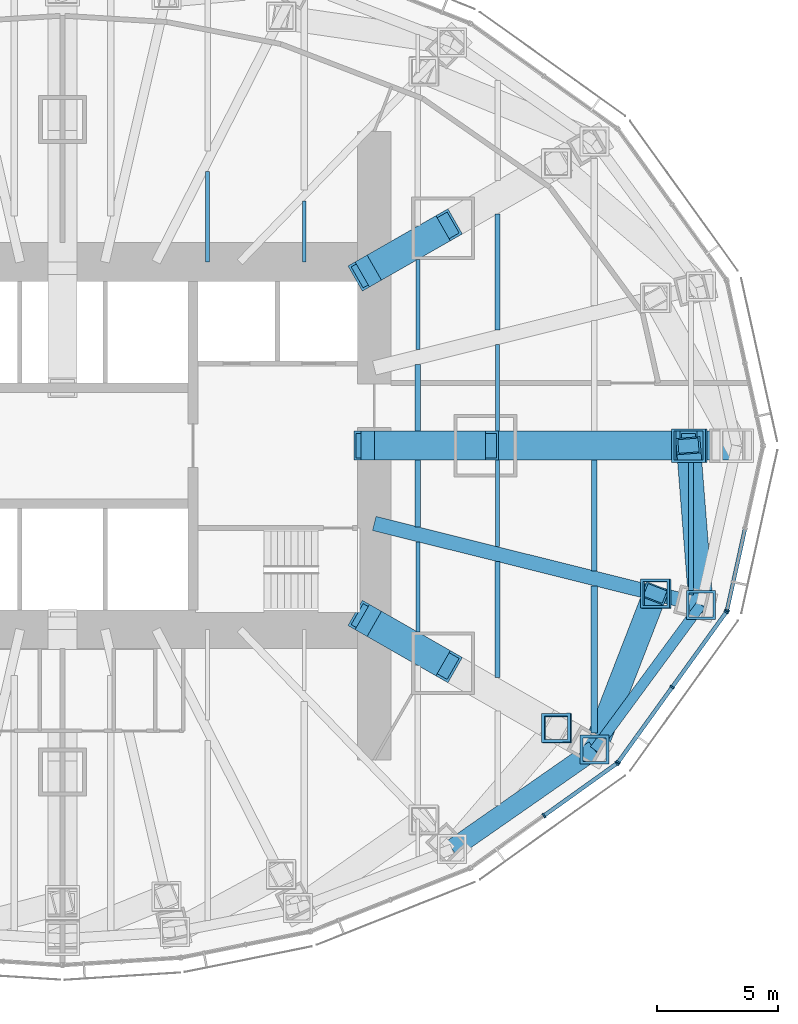
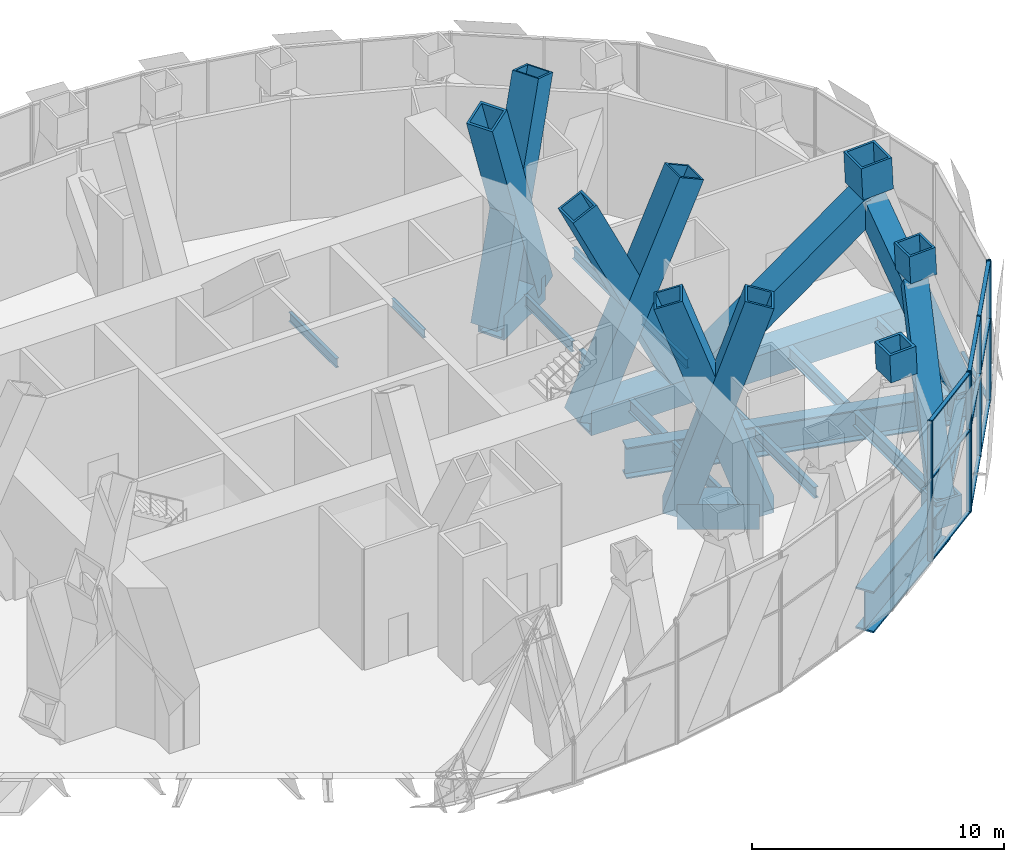
# One storey, part 6 of 19: 30 members, 20 beams, 3 elements without a shape of their own.
"""IFC4 building model written with IfcOpenShell, lengths in metres."""

from ifc_helpers import new_model, si_unit, direction, frame, origin, origin_2d, place, context, subcontext, project, spatial, rectangle, hollow_rectangle, i_section, extrude, material, material_profile, profile_set, type_object, element, aggregate, save


model = new_model("IFC4")

# Units and contexts
model_context = context("Model", 3, precision=1e-05, world=origin(), true_north=direction((0.0, 1.0)))
body_context = subcontext(model_context, "Body", "Model", "MODEL_VIEW")
ifc_project = project(units=[si_unit("LENGTHUNIT", "METRE"), si_unit("AREAUNIT", "SQUARE_METRE"), si_unit("VOLUMEUNIT", "CUBIC_METRE"), si_unit("PLANEANGLEUNIT", "RADIAN"), si_unit("MASSUNIT", "GRAM", prefix="KILO")], contexts=[model_context])

# Site, building, storey
site_placement = place(None, origin())
site = spatial("IfcSite", under=ifc_project, at=site_placement, CompositionType="ELEMENT")
building_placement = place(site_placement, origin())
building = spatial("IfcBuilding", under=site, at=building_placement, Name="Lantaw Convention Tower", CompositionType="ELEMENT")
storey_placement = place(building_placement, frame((0.0, 0.0, 193.0)))
storey = spatial("IfcBuildingStorey", under=building, at=storey_placement, Name="L45", CompositionType="ELEMENT", Elevation=193.0)

# Beams
ifc_material_1 = material(Name="Steel ASTM A572 Grade 50", Category="steel")
ifc_material_profile_1 = material_profile(ifc_material_1, i_section(OverallWidth=0.800048828125, OverallDepth=2.0, WebThickness=0.030029296875, FlangeThickness=0.080078125, at=origin_2d()), Name="PG2000X800X30X80")
ifc_profile_set_1 = profile_set([ifc_material_profile_1], Name="Steel ASTM A572 Grade 50")
beam_type_1 = type_object("IfcBeamType", Name="Beam BC PG2000X800X30X80", PredefinedType="SPANDREL", material=ifc_profile_set_1)
beam_1_placement = place(storey_placement, frame((16.11767578125, -16.690185546875, -1.199951171875), z_axis=(0.820310765287, 0.57191804339, 0.0), x_axis=(-0.57191804339, 0.820310765287, 0.0)))
element("IfcBeam", 1, at=beam_1_placement, inside=storey, type_object=beam_type_1, Name="Belt truss chord 22", PredefinedType="SPANDREL", context=body_context, shape_type="SweptSolid", body=[
    extrude(i_section(OverallWidth=0.800048828125, OverallDepth=2.0, WebThickness=0.030029296875, FlangeThickness=0.080078125, at=origin_2d()), origin(), (0.0, 0.0, 1.0), 7.187744140625),
])
ifc_material_2 = material(Name="Steel ASTM A992", Category="steel")
ifc_material_profile_2 = material_profile(ifc_material_2, i_section(OverallWidth=0.424072265625, OverallDepth=0.947509765625, WebThickness=0.02392578125, FlangeThickness=0.042724609375, FilletRadius=0.012451171875, at=origin_2d()), Name="W36X302")
ifc_profile_set_2 = profile_set([ifc_material_profile_2], Name="Steel ASTM A992")
beam_type_2 = type_object("IfcBeamType", Name="Beam BC W36X302", PredefinedType="SPANDREL", material=ifc_profile_set_2)
beam_2_placement = place(storey_placement, frame((22.013916015625, -12.579345703125, -0.673828125), z_axis=(0.5923891972, 0.805651934176, 0.0), x_axis=(-0.805651934176, 0.5923891972, 0.0)))
element("IfcBeam", 2, at=beam_2_placement, inside=storey, type_object=beam_type_2, Name="Belt truss chord 23", PredefinedType="SPANDREL", context=body_context, shape_type="SweptSolid", body=[
    extrude(i_section(OverallWidth=0.424072265625, OverallDepth=0.947509765625, WebThickness=0.02392578125, FlangeThickness=0.042724609375, FilletRadius=0.012451171875, at=origin_2d()), origin(), (0.0, 0.0, 1.0), 7.437744140625),
])
ifc_material_3 = material(Name="Steel EN 10025-3 S460N", Category="steel")
ifc_material_profile_3 = material_profile(ifc_material_3, hollow_rectangle(XDim=1.199951171875, YDim=1.199951171875, WallThickness=0.10009765625, at=origin_2d()), Name="BOX1200X100")
ifc_profile_set_3 = profile_set([ifc_material_profile_3], Name="Steel EN 10025-3 S460N")
beam_type_3 = type_object("IfcBeamType", Name="Beam G BOX1200X100", PredefinedType="BEAM", material=ifc_profile_set_3)
beam_3_placement = place(storey_placement, frame((17.5, 0.0, -0.800048828125), z_axis=(1.0, 0.0, 0.0), x_axis=(0.0, 1.0, 0.0)))
element("IfcBeam", 3, at=beam_3_placement, inside=storey, type_object=beam_type_3, Name="Floor girder on ray 1", PredefinedType="BEAM", context=body_context, shape_type="SweptSolid", body=[
    extrude(hollow_rectangle(XDim=1.199951171875, YDim=1.199951171875, WallThickness=0.10009765625, at=origin_2d()), origin(), (0.0, 0.0, 1.0), 10.39990234375),
])
ifc_material_profile_4 = material_profile(ifc_material_1, i_section(OverallWidth=0.60009765625, OverallDepth=1.5, WebThickness=0.02490234375, FlangeThickness=0.06005859375, at=origin_2d()), Name="PG1500X600X25X60")
ifc_profile_set_4 = profile_set([ifc_material_profile_4], Name="Steel ASTM A572 Grade 50")
beam_type_4 = type_object("IfcBeamType", Name="Beam G PG1500X600X25X60", PredefinedType="BEAM", material=ifc_profile_set_4)
beam_4_placement = place(storey_placement, frame((12.89990234375, -3.21630859375, -0.949951171875), z_axis=(0.970296903132, -0.24191717544, 0.0), x_axis=(0.24191717544, 0.970296903132, 0.0)))
element("IfcBeam", 4, at=beam_4_placement, inside=storey, type_object=beam_type_4, Name="Floor girder on ray 24", PredefinedType="BEAM", context=body_context, shape_type="SweptSolid", body=[
    extrude(i_section(OverallWidth=0.60009765625, OverallDepth=1.5, WebThickness=0.02490234375, FlangeThickness=0.06005859375, at=origin_2d()), origin(), (0.0, 0.0, 1.0), 13.933837890625),
])
ifc_material_profile_5 = material_profile(ifc_material_2, i_section(OverallWidth=0.140380859375, OverallDepth=0.40380859375, WebThickness=0.007080078125, FlangeThickness=0.01123046875, FilletRadius=0.01025390625, at=origin_2d()), Name="W16X31")
ifc_profile_set_5 = profile_set([ifc_material_profile_5], Name="Steel ASTM A992")
beam_type_5 = type_object("IfcBeamType", Name="Beam J W16X31", PredefinedType="JOIST", material=ifc_profile_set_5)
beam_5_placement = place(storey_placement, frame((10.0, 7.60009765625, -0.40185546875), z_axis=(0.0, 1.0, 0.0), x_axis=(-1.0, 0.0, 0.0)))
element("IfcBeam", 5, at=beam_5_placement, inside=storey, type_object=beam_type_5, Name="Floor joist", PredefinedType="JOIST", context=body_context, shape_type="SweptSolid", body=[
    extrude(i_section(OverallWidth=0.140380859375, OverallDepth=0.40380859375, WebThickness=0.007080078125, FlangeThickness=0.01123046875, FilletRadius=0.01025390625, at=origin_2d()), origin(), (0.0, 0.0, 1.0), 2.533935546875),
])
ifc_material_profile_6 = material_profile(ifc_material_2, i_section(OverallWidth=0.15234375, OverallDepth=0.449462890625, WebThickness=0.007568359375, FlangeThickness=0.0107421875, FilletRadius=0.01025390625, at=origin_2d()), Name="W18X35")
ifc_profile_set_6 = profile_set([ifc_material_profile_6], Name="Steel ASTM A992")
beam_type_6 = type_object("IfcBeamType", Name="Beam J W18X35", PredefinedType="JOIST", material=ifc_profile_set_6)
beam_6_placement = place(storey_placement, frame((6.0, 7.60009765625, -0.4248046875), z_axis=(0.0, 1.0, 0.0), x_axis=(-1.0, 0.0, 0.0)))
element("IfcBeam", 6, at=beam_6_placement, inside=storey, type_object=beam_type_6, Name="Floor joist", PredefinedType="JOIST", context=body_context, shape_type="SweptSolid", body=[
    extrude(i_section(OverallWidth=0.15234375, OverallDepth=0.449462890625, WebThickness=0.007568359375, FlangeThickness=0.0107421875, FilletRadius=0.01025390625, at=origin_2d()), origin(), (0.0, 0.0, 1.0), 3.755859375),
])
for number, where, z_axis, x_axis, name in (
    (7, (18.0, -4.1787109375, -0.4248046875), (0.0, 1.0, 0.0), (-1.0, 0.0, 0.0), "Floor joist"),
    (8, (18.0, 0.60009765625, -0.4248046875), (0.0, 1.0, 0.0), (-1.0, 0.0, 0.0), "Floor joist"),
):
    element("IfcBeam", number, at=place(storey_placement, frame(where, z_axis=z_axis, x_axis=x_axis)), inside=storey, type_object=beam_type_6, Name=name, PredefinedType="JOIST", context=body_context, shape_type="SweptSolid", body=[
        extrude(i_section(OverallWidth=0.15234375, OverallDepth=0.449462890625, WebThickness=0.007568359375, FlangeThickness=0.0107421875, FilletRadius=0.01025390625, at=origin_2d()), origin(), (0.0, 0.0, 1.0), 3.57861328125),
    ])
ifc_material_profile_7 = material_profile(ifc_material_2, i_section(OverallWidth=0.1650390625, OverallDepth=0.52587890625, WebThickness=0.0087890625, FlangeThickness=0.011474609375, FilletRadius=0.0126953125, at=origin_2d()), Name="W21X44")
ifc_profile_set_7 = profile_set([ifc_material_profile_7], Name="Steel ASTM A992")
beam_type_7 = type_object("IfcBeamType", Name="Beam J W21X44", PredefinedType="JOIST", material=ifc_profile_set_7)
for number, where, z_axis, x_axis, name in (
    (9, (14.699951171875, -7.708984375, -0.462890625), (0.0, 1.0, 0.0), (-1.0, 0.0, 0.0), "Floor joist"),
    (10, (14.699951171875, 3.974365234375, -0.462890625), (0.0, 1.0, 0.0), (-1.0, 0.0, 0.0), "Floor joist"),
):
    element("IfcBeam", number, at=place(storey_placement, frame(where, z_axis=z_axis, x_axis=x_axis)), inside=storey, type_object=beam_type_7, Name=name, PredefinedType="JOIST", context=body_context, shape_type="SweptSolid", body=[
        extrude(i_section(OverallWidth=0.1650390625, OverallDepth=0.52587890625, WebThickness=0.0087890625, FlangeThickness=0.011474609375, FilletRadius=0.0126953125, at=origin_2d()), origin(), (0.0, 0.0, 1.0), 3.734619140625),
    ])
ifc_material_profile_8 = material_profile(ifc_material_2, i_section(OverallWidth=0.209228515625, OverallDepth=0.533447265625, WebThickness=0.01025390625, FlangeThickness=0.015625, FilletRadius=0.012939453125, at=origin_2d()), Name="W21X62")
ifc_profile_set_8 = profile_set([ifc_material_profile_8], Name="Steel ASTM A992")
beam_type_8 = type_object("IfcBeamType", Name="Beam J W21X62", PredefinedType="JOIST", material=ifc_profile_set_8)
beam_7_placement = place(storey_placement, frame((26.0, -6.17333984375, -0.466796875), z_axis=(0.0, 1.0, 0.0), x_axis=(-1.0, 0.0, 0.0)))
element("IfcBeam", 11, at=beam_7_placement, inside=storey, type_object=beam_type_8, Name="Floor joist", PredefinedType="JOIST", context=body_context, shape_type="SweptSolid", body=[
    extrude(i_section(OverallWidth=0.209228515625, OverallDepth=0.533447265625, WebThickness=0.01025390625, FlangeThickness=0.015625, FilletRadius=0.012939453125, at=origin_2d()), origin(), (0.0, 0.0, 1.0), 5.5732421875),
])
ifc_material_profile_9 = material_profile(ifc_material_2, i_section(OverallWidth=0.2099609375, OverallDepth=0.535888671875, WebThickness=0.010986328125, FlangeThickness=0.017333984375, FilletRadius=0.012939453125, at=origin_2d()), Name="W21X68")
ifc_profile_set_9 = profile_set([ifc_material_profile_9], Name="Steel ASTM A992")
beam_type_9 = type_object("IfcBeamType", Name="Beam J W21X68", PredefinedType="JOIST", material=ifc_profile_set_9)
for number, where, z_axis, x_axis, name in (
    (12, (18.0, -9.5947265625, -0.468017578125), (0.0, 1.0, 0.0), (-1.0, 0.0, 0.0), "Floor joist"),
    (13, (18.0, 4.797119140625, -0.468017578125), (0.0, 1.0, 0.0), (-1.0, 0.0, 0.0), "Floor joist"),
):
    element("IfcBeam", number, at=place(storey_placement, frame(where, z_axis=z_axis, x_axis=x_axis)), inside=storey, type_object=beam_type_9, Name=name, PredefinedType="JOIST", context=body_context, shape_type="SweptSolid", body=[
        extrude(i_section(OverallWidth=0.2099609375, OverallDepth=0.535888671875, WebThickness=0.010986328125, FlangeThickness=0.017333984375, FilletRadius=0.012939453125, at=origin_2d()), origin(), (0.0, 0.0, 1.0), 4.797607421875),
    ])
ifc_material_profile_10 = material_profile(ifc_material_2, i_section(OverallWidth=0.227783203125, OverallDepth=0.60205078125, WebThickness=0.010498046875, FlangeThickness=0.014892578125, FilletRadius=0.012939453125, at=origin_2d()), Name="W24X68")
ifc_profile_set_10 = profile_set([ifc_material_profile_10], Name="Steel ASTM A992")
beam_type_10 = type_object("IfcBeamType", Name="Beam J W24X68", PredefinedType="JOIST", material=ifc_profile_set_10)
for number, where, z_axis, x_axis, name in (
    (14, (14.699951171875, -3.35595703125, -0.5009765625), (0.0, 1.0, 0.0), (-1.0, 0.0, 0.0), "Floor joist"),
    (15, (14.699951171875, 0.60009765625, -0.5009765625), (0.0, 1.0, 0.0), (-1.0, 0.0, 0.0), "Floor joist"),
):
    element("IfcBeam", number, at=place(storey_placement, frame(where, z_axis=z_axis, x_axis=x_axis)), inside=storey, type_object=beam_type_10, Name=name, PredefinedType="JOIST", context=body_context, shape_type="SweptSolid", body=[
        extrude(i_section(OverallWidth=0.227783203125, OverallDepth=0.60205078125, WebThickness=0.010498046875, FlangeThickness=0.014892578125, FilletRadius=0.012939453125, at=origin_2d()), origin(), (0.0, 0.0, 1.0), 2.755859375),
    ])
ifc_material_profile_11 = material_profile(ifc_material_2, i_section(OverallWidth=0.22900390625, OverallDepth=0.612060546875, WebThickness=0.011962890625, FlangeThickness=0.01953125, FilletRadius=0.0126953125, at=origin_2d()), Name="W24X84")
ifc_profile_set_11 = profile_set([ifc_material_profile_11], Name="Steel ASTM A992")
beam_type_11 = type_object("IfcBeamType", Name="Beam J W24X84", PredefinedType="JOIST", material=ifc_profile_set_11)
beam_8_placement = place(storey_placement, frame((22.0, -5.176025390625, -0.506103515625), z_axis=(0.0, 1.0, 0.0), x_axis=(-1.0, 0.0, 0.0)))
element("IfcBeam", 16, at=beam_8_placement, inside=storey, type_object=beam_type_11, Name="Floor joist", PredefinedType="JOIST", context=body_context, shape_type="SweptSolid", body=[
    extrude(i_section(OverallWidth=0.22900390625, OverallDepth=0.612060546875, WebThickness=0.011962890625, FlangeThickness=0.01953125, FilletRadius=0.0126953125, at=origin_2d()), origin(), (0.0, 0.0, 1.0), 4.575927734375),
])
ifc_material_profile_12 = material_profile(ifc_material_2, i_section(OverallWidth=0.25390625, OverallDepth=0.683349609375, WebThickness=0.012451171875, FlangeThickness=0.01904296875, FilletRadius=0.01513671875, at=origin_2d()), Name="W27X94")
ifc_profile_set_12 = profile_set([ifc_material_profile_12], Name="Steel ASTM A992")
beam_type_12 = type_object("IfcBeamType", Name="Beam J W27X94", PredefinedType="JOIST", material=ifc_profile_set_12)
beam_9_placement = place(storey_placement, frame((22.0, -11.88037109375, -0.541748046875), z_axis=(0.0, 1.0, 0.0), x_axis=(-1.0, 0.0, 0.0)))
element("IfcBeam", 17, at=beam_9_placement, inside=storey, type_object=beam_type_12, Name="Floor joist", PredefinedType="JOIST", context=body_context, shape_type="SweptSolid", body=[
    extrude(i_section(OverallWidth=0.25390625, OverallDepth=0.683349609375, WebThickness=0.012451171875, FlangeThickness=0.01904296875, FilletRadius=0.01513671875, at=origin_2d()), origin(), (0.0, 0.0, 1.0), 6.0859375),
])
ifc_material_profile_13 = material_profile(ifc_material_3, hollow_rectangle(XDim=1.199951171875, YDim=1.199951171875, WallThickness=0.10009765625, at=origin_2d()), Name="BOX1200X100")
ifc_profile_set_13 = profile_set([ifc_material_profile_13], Name="Steel EN 10025-3 S460N")
beam_type_13 = type_object("IfcBeamType", Name="Beam OC BOX1200X100", PredefinedType="BEAM", material=ifc_profile_set_13)
beam_10_placement = place(storey_placement, frame((12.89990234375, 0.0, -0.800048828125), z_axis=(1.0, 0.0, 0.0), x_axis=(0.0, 1.0, 0.0)))
element("IfcBeam", 18, at=beam_10_placement, inside=storey, type_object=beam_type_13, Name="Outrigger chord on ray 1", PredefinedType="BEAM", context=body_context, shape_type="SweptSolid", body=[
    extrude(hollow_rectangle(XDim=1.199951171875, YDim=1.199951171875, WallThickness=0.10009765625, at=origin_2d()), origin(), (0.0, 0.0, 1.0), 4.60009765625),
])
for number, where, z_axis, x_axis, name in (
    (19, (12.89990234375, 7.371337890625, -0.800048828125), (0.868238565244, 0.496146947811, 0.0), (-0.496146947811, 0.868238565244, 0.0), "Outrigger chord on ray 3"),
    (20, (12.89990234375, -7.371337890625, -0.800048828125), (0.868238565244, -0.496146947811, 0.0), (0.496146947811, 0.868238565244, 0.0), "Outrigger chord on ray 23"),
):
    element("IfcBeam", number, at=place(storey_placement, frame(where, z_axis=z_axis, x_axis=x_axis)), inside=storey, type_object=beam_type_13, Name=name, PredefinedType="BEAM", context=body_context, shape_type="SweptSolid", body=[
        extrude(hollow_rectangle(XDim=1.199951171875, YDim=1.199951171875, WallThickness=0.10009765625, at=origin_2d()), origin(), (0.0, 0.0, 1.0), 3.28271484375),
    ])

# Curtain wall, members
ifc_material_4 = material(Name="Aluminium framed curtain wall", Category="aluminium")
curtain_wall_type = type_object("IfcCurtainWallType", Name="Plant floor louvre wall, pale aluminium", PredefinedType="USERDEFINED", material=ifc_material_4)
curtain_wall_1_placement = place(storey_placement, origin())
curtain_wall_1 = element("IfcCurtainWall", 21, at=curtain_wall_1_placement, inside=storey, type_object=curtain_wall_type, Name="Plant floor louvre wall, pale aluminium L45", ObjectType="LOUVRE WALL", PredefinedType="USERDEFINED")
ifc_material_5 = material(Name="Aluminium 6063-T6", Category="aluminium")
ifc_material_profile_14 = material_profile(ifc_material_5, rectangle(XDim=0.199951171875, YDim=0.070068359375, at=origin_2d()), Name="CW-LV mullion 70x200")
ifc_profile_set_14 = profile_set([ifc_material_profile_14], Name="Aluminium 6063-T6")
member_type_1 = type_object("IfcMemberType", Name="CW-LV mullion 70x200", PredefinedType="MULLION", material=ifc_profile_set_14)
member_1_placement = place(storey_placement, frame((19.92529296875, -15.303466796875, -1.0), z_axis=(0.0, 0.0, 1.0), x_axis=(-0.581972695693, 0.813208325995, 0.0)))
member_1 = element("IfcMember", 22, at=member_1_placement, type_object=member_type_1, Name="CW-LV mullion 2", PredefinedType="MULLION", context=body_context, shape_type="SweptSolid", body=[
    extrude(rectangle(XDim=0.199951171875, YDim=0.070068359375, at=origin_2d()), origin(), (0.0, 0.0, 1.0), 6.800048828125),
])
member_2_placement = place(storey_placement, frame((22.940673828125, -13.1455078125, -1.0), z_axis=(0.0, 0.0, 1.0), x_axis=(-0.581972695693, 0.813208325995, 0.0)))
member_2 = element("IfcMember", 23, at=member_2_placement, type_object=member_type_1, Name="CW-LV mullion 3", PredefinedType="MULLION", context=body_context, shape_type="SweptSolid", body=[
    extrude(rectangle(XDim=0.199951171875, YDim=0.070068359375, at=origin_2d()), origin(), (0.0, 0.0, 1.0), 6.800048828125),
])

curtain_wall_2_placement = place(storey_placement, origin())
curtain_wall_2 = element("IfcCurtainWall", 24, at=curtain_wall_2_placement, inside=storey, type_object=curtain_wall_type, Name="Plant floor louvre wall, pale aluminium L45", ObjectType="LOUVRE WALL", PredefinedType="USERDEFINED")
member_3_placement = place(storey_placement, frame((22.989501953125, -13.0966796875, -1.0), z_axis=(0.0, 0.0, 1.0), x_axis=(-0.811384633629, 0.584512597221, 0.0)))
member_3 = element("IfcMember", 25, at=member_3_placement, type_object=member_type_1, Name="CW-LV mullion 1", PredefinedType="MULLION", context=body_context, shape_type="SweptSolid", body=[
    extrude(rectangle(XDim=0.199951171875, YDim=0.070068359375, at=origin_2d()), origin(), (0.0, 0.0, 1.0), 6.800048828125),
])
member_4_placement = place(storey_placement, frame((25.22802734375, -9.9892578125, -1.0), z_axis=(0.0, 0.0, 1.0), x_axis=(-0.811384633629, 0.584512597221, 0.0)))
member_4 = element("IfcMember", 26, at=member_4_placement, type_object=member_type_1, Name="CW-LV mullion 2", PredefinedType="MULLION", context=body_context, shape_type="SweptSolid", body=[
    extrude(rectangle(XDim=0.199951171875, YDim=0.070068359375, at=origin_2d()), origin(), (0.0, 0.0, 1.0), 6.800048828125),
])
member_5_placement = place(storey_placement, frame((27.466796875, -6.8818359375, -1.0), z_axis=(0.0, 0.0, 1.0), x_axis=(-0.811384633629, 0.584512597221, 0.0)))
member_5 = element("IfcMember", 27, at=member_5_placement, type_object=member_type_1, Name="CW-LV mullion 3", PredefinedType="MULLION", context=body_context, shape_type="SweptSolid", body=[
    extrude(rectangle(XDim=0.199951171875, YDim=0.070068359375, at=origin_2d()), origin(), (0.0, 0.0, 1.0), 6.800048828125),
])

# Curtain wall, member
curtain_wall_3_placement = place(storey_placement, origin())
curtain_wall_3 = element("IfcCurtainWall", 28, at=curtain_wall_3_placement, inside=storey, type_object=curtain_wall_type, Name="Plant floor louvre wall, pale aluminium L45", ObjectType="LOUVRE WALL", PredefinedType="USERDEFINED")
member_6_placement = place(storey_placement, frame((27.494873046875, -6.819091796875, -1.0), z_axis=(0.0, 0.0, 1.0), x_axis=(-0.9764936509, 0.215546166174, 0.0)))
member_6 = element("IfcMember", 29, at=member_6_placement, type_object=member_type_1, Name="CW-LV mullion 1", PredefinedType="MULLION", context=body_context, shape_type="SweptSolid", body=[
    extrude(rectangle(XDim=0.199951171875, YDim=0.070068359375, at=origin_2d()), origin(), (0.0, 0.0, 1.0), 6.800048828125),
])

# Member
ifc_material_profile_15 = material_profile(ifc_material_5, rectangle(XDim=0.159912109375, YDim=0.070068359375, at=origin_2d()), Name="CW-LV transom 70x160")
ifc_profile_set_15 = profile_set([ifc_material_profile_15], Name="Aluminium 6063-T6")
member_type_2 = type_object("IfcMemberType", Name="CW-LV transom 70x160", PredefinedType="USERDEFINED", material=ifc_profile_set_15)
member_7_placement = place(storey_placement, frame((19.953857421875, -15.282958984375, -0.965087890625), z_axis=(0.813225267736, 0.58194902175, 0.0), x_axis=(-0.58194902175, 0.813225267736, 0.0)))
member_7 = element("IfcMember", 30, at=member_7_placement, type_object=member_type_2, Name="CW-LV transom 2.1", ObjectType="TRANSOM", PredefinedType="USERDEFINED", context=body_context, shape_type="SweptSolid", body=[
    extrude(rectangle(XDim=0.159912109375, YDim=0.070068359375, at=origin_2d()), origin(), (0.0, 0.0, 1.0), 3.6376953125),
])

member_8_placement = place(storey_placement, frame((19.953857421875, -15.282958984375, 3.0), z_axis=(0.813225267736, 0.58194902175, 0.0), x_axis=(-0.58194902175, 0.813225267736, 0.0)))
member_8 = element("IfcMember", 31, at=member_8_placement, type_object=member_type_2, Name="CW-LV transom 2.2", ObjectType="TRANSOM", PredefinedType="USERDEFINED", context=body_context, shape_type="SweptSolid", body=[
    extrude(rectangle(XDim=0.159912109375, YDim=0.070068359375, at=origin_2d()), origin(), (0.0, 0.0, 1.0), 3.6376953125),
])

member_9_placement = place(storey_placement, frame((19.953857421875, -15.282958984375, 5.764892578125), z_axis=(0.813225267736, 0.58194902175, 0.0), x_axis=(-0.58194902175, 0.813225267736, 0.0)))
member_9 = element("IfcMember", 32, at=member_9_placement, type_object=member_type_2, Name="CW-LV transom 2.3", ObjectType="TRANSOM", PredefinedType="USERDEFINED", context=body_context, shape_type="SweptSolid", body=[
    extrude(rectangle(XDim=0.159912109375, YDim=0.070068359375, at=origin_2d()), origin(), (0.0, 0.0, 1.0), 3.6376953125),
])

aggregate(curtain_wall_1, [member_1, member_2, member_7, member_8, member_9])

member_10_placement = place(storey_placement, frame((23.010009765625, -13.068359375, -0.965087890625), z_axis=(0.584513390493, 0.811384062164, 0.0), x_axis=(-0.811384062164, 0.584513390493, 0.0)))
member_10 = element("IfcMember", 33, at=member_10_placement, type_object=member_type_2, Name="CW-LV transom 1.1", ObjectType="TRANSOM", PredefinedType="USERDEFINED", context=body_context, shape_type="SweptSolid", body=[
    extrude(rectangle(XDim=0.159912109375, YDim=0.070068359375, at=origin_2d()), origin(), (0.0, 0.0, 1.0), 3.760009765625),
])

member_11_placement = place(storey_placement, frame((23.010009765625, -13.068359375, 3.0), z_axis=(0.584513390493, 0.811384062164, 0.0), x_axis=(-0.811384062164, 0.584513390493, 0.0)))
member_11 = element("IfcMember", 34, at=member_11_placement, type_object=member_type_2, Name="CW-LV transom 1.2", ObjectType="TRANSOM", PredefinedType="USERDEFINED", context=body_context, shape_type="SweptSolid", body=[
    extrude(rectangle(XDim=0.159912109375, YDim=0.070068359375, at=origin_2d()), origin(), (0.0, 0.0, 1.0), 3.760009765625),
])

member_12_placement = place(storey_placement, frame((23.010009765625, -13.068359375, 5.764892578125), z_axis=(0.584513390493, 0.811384062164, 0.0), x_axis=(-0.811384062164, 0.584513390493, 0.0)))
member_12 = element("IfcMember", 35, at=member_12_placement, type_object=member_type_2, Name="CW-LV transom 1.3", ObjectType="TRANSOM", PredefinedType="USERDEFINED", context=body_context, shape_type="SweptSolid", body=[
    extrude(rectangle(XDim=0.159912109375, YDim=0.070068359375, at=origin_2d()), origin(), (0.0, 0.0, 1.0), 3.760009765625),
])

member_13_placement = place(storey_placement, frame((25.24853515625, -9.9609375, -0.965087890625), z_axis=(0.584513390493, 0.811384062164, 0.0), x_axis=(-0.811384062164, 0.584513390493, 0.0)))
member_13 = element("IfcMember", 36, at=member_13_placement, type_object=member_type_2, Name="CW-LV transom 2.1", ObjectType="TRANSOM", PredefinedType="USERDEFINED", context=body_context, shape_type="SweptSolid", body=[
    extrude(rectangle(XDim=0.159912109375, YDim=0.070068359375, at=origin_2d()), origin(), (0.0, 0.0, 1.0), 3.760009765625),
])

member_14_placement = place(storey_placement, frame((25.24853515625, -9.9609375, 3.0), z_axis=(0.584513390493, 0.811384062164, 0.0), x_axis=(-0.811384062164, 0.584513390493, 0.0)))
member_14 = element("IfcMember", 37, at=member_14_placement, type_object=member_type_2, Name="CW-LV transom 2.2", ObjectType="TRANSOM", PredefinedType="USERDEFINED", context=body_context, shape_type="SweptSolid", body=[
    extrude(rectangle(XDim=0.159912109375, YDim=0.070068359375, at=origin_2d()), origin(), (0.0, 0.0, 1.0), 3.760009765625),
])

member_15_placement = place(storey_placement, frame((25.24853515625, -9.9609375, 5.764892578125), z_axis=(0.584513390493, 0.811384062164, 0.0), x_axis=(-0.811384062164, 0.584513390493, 0.0)))
member_15 = element("IfcMember", 38, at=member_15_placement, type_object=member_type_2, Name="CW-LV transom 2.3", ObjectType="TRANSOM", PredefinedType="USERDEFINED", context=body_context, shape_type="SweptSolid", body=[
    extrude(rectangle(XDim=0.159912109375, YDim=0.070068359375, at=origin_2d()), origin(), (0.0, 0.0, 1.0), 3.760009765625),
])

aggregate(curtain_wall_2, [member_3, member_4, member_5, member_10, member_11, member_12, member_13, member_14, member_15])

member_16_placement = place(storey_placement, frame((27.502197265625, -6.784912109375, -0.965087890625), z_axis=(0.215593710182, 0.976483155067, 0.0), x_axis=(-0.976483155067, 0.215593710182, 0.0)))
member_16 = element("IfcMember", 39, at=member_16_placement, type_object=member_type_2, Name="CW-LV transom 1.1", ObjectType="TRANSOM", PredefinedType="USERDEFINED", context=body_context, shape_type="SweptSolid", body=[
    extrude(rectangle(XDim=0.159912109375, YDim=0.070068359375, at=origin_2d()), origin(), (0.0, 0.0, 1.0), 3.404052734375),
])

aggregate(curtain_wall_3, [member_6, member_16])

# Members
ifc_material_profile_16 = material_profile(ifc_material_1, hollow_rectangle(XDim=1.0, YDim=1.0, WallThickness=0.080078125, at=origin_2d()), Name="BOX1000X80")
ifc_profile_set_16 = profile_set([ifc_material_profile_16], Name="Steel ASTM A572 Grade 50")
member_type_3 = type_object("IfcMemberType", Name="Member BT BOX1000X80", PredefinedType="BRACE", material=ifc_profile_set_16)
member_17_placement = place(storey_placement, frame((22.013916015625, -12.579345703125, -0.673828125), z_axis=(0.272527999054, 0.702529589308, 0.65740449183), x_axis=(-0.932308261448, 0.361664631442, 0.0)))
element("IfcMember", 40, at=member_17_placement, inside=storey, type_object=member_type_3, Name="Belt truss diagonal 23", PredefinedType="BRACE", context=body_context, shape_type="SweptSolid", body=[
    extrude(hollow_rectangle(XDim=1.0, YDim=1.0, WallThickness=0.080078125, at=origin_2d()), origin(), (0.0, 0.0, 1.0), 9.202880859375),
])
member_18_placement = place(storey_placement, frame((26.419921875, -6.587158203125, -0.673828125), z_axis=(-0.058044197515, 0.735253752659, 0.675301999357), x_axis=(-0.996898377509, -0.078699586527, 0.0)))
element("IfcMember", 41, at=member_18_placement, inside=storey, type_object=member_type_3, Name="Belt truss diagonal 24", PredefinedType="BRACE", context=body_context, shape_type="SweptSolid", body=[
    extrude(hollow_rectangle(XDim=1.0, YDim=1.0, WallThickness=0.080078125, at=origin_2d()), origin(), (0.0, 0.0, 1.0), 8.958984375),
])
ifc_material_6 = material(Name="Cast steel ASTM A148 Grade 80-50", Category="steel")
ifc_material_profile_17 = material_profile(ifc_material_6, hollow_rectangle(XDim=1.199951171875, YDim=1.199951171875, WallThickness=0.10009765625, at=origin_2d()), Name="BOX1200X100")
ifc_profile_set_17 = profile_set([ifc_material_profile_17], Name="Cast steel ASTM A148 Grade 80-50")
member_type_4 = type_object("IfcMemberType", Name="Member CN BOX1200X100", PredefinedType="USERDEFINED", material=ifc_profile_set_17)
member_19_placement = place(storey_placement, frame((26.419921875, -6.587158203125, -1.320068359375), z_axis=(0.0, 0.0, 1.0), x_axis=(1.0, 0.0, 0.0)))
element("IfcMember", 42, at=member_19_placement, inside=storey, type_object=member_type_4, Name="Cast steel column node", ObjectType="COLUMN NODE", PredefinedType="USERDEFINED", context=body_context, shape_type="SweptSolid", body=[
    extrude(hollow_rectangle(XDim=1.199951171875, YDim=1.199951171875, WallThickness=0.10009765625, at=origin_2d()), origin(), (0.0, 0.0, 1.0), 1.320068359375),
])
member_20_placement = place(storey_placement, frame((24.581787109375, -6.12890625, 5.81103515625), z_axis=(-0.045262314505, 0.011269392591, 0.998911569498), x_axis=(0.998975084207, 0.00083343341, 0.045255789938)))
element("IfcMember", 43, at=member_20_placement, inside=storey, type_object=member_type_4, Name="Cast steel column node", ObjectType="COLUMN NODE", PredefinedType="USERDEFINED", context=body_context, shape_type="SweptSolid", body=[
    extrude(hollow_rectangle(XDim=1.199951171875, YDim=1.199951171875, WallThickness=0.10009765625, at=origin_2d()), origin(), (0.0, 0.0, 1.0), 1.321533203125),
])
ifc_material_profile_18 = material_profile(ifc_material_6, hollow_rectangle(XDim=1.199951171875, YDim=1.199951171875, WallThickness=0.1201171875, at=origin_2d()), Name="BOX1200X120")
ifc_profile_set_18 = profile_set([ifc_material_profile_18], Name="Cast steel ASTM A148 Grade 80-50")
member_type_5 = type_object("IfcMemberType", Name="Member CN BOX1200X120", PredefinedType="USERDEFINED", material=ifc_profile_set_18)
member_21_placement = place(storey_placement, frame((22.013916015625, -12.579345703125, -1.320068359375), z_axis=(0.0, 0.0, 1.0), x_axis=(1.0, 0.0, 0.0)))
element("IfcMember", 44, at=member_21_placement, inside=storey, type_object=member_type_5, Name="Cast steel column node", ObjectType="COLUMN NODE", PredefinedType="USERDEFINED", context=body_context, shape_type="SweptSolid", body=[
    extrude(hollow_rectangle(XDim=1.199951171875, YDim=1.199951171875, WallThickness=0.1201171875, at=origin_2d()), origin(), (0.0, 0.0, 1.0), 1.320068359375),
])
member_22_placement = place(storey_placement, frame((20.47021484375, -11.697265625, 5.82177734375), z_axis=(-0.035664382557, 0.020326850162, 0.999157080233), x_axis=(0.999363186603, 0.001854198183, 0.035634017609)))
element("IfcMember", 45, at=member_22_placement, inside=storey, type_object=member_type_5, Name="Cast steel column node", ObjectType="COLUMN NODE", PredefinedType="USERDEFINED", context=body_context, shape_type="SweptSolid", body=[
    extrude(hollow_rectangle(XDim=1.199951171875, YDim=1.199951171875, WallThickness=0.1201171875, at=origin_2d()), origin(), (0.0, 0.0, 1.0), 1.3212890625),
])
ifc_material_profile_19 = material_profile(ifc_material_6, hollow_rectangle(XDim=1.39990234375, YDim=1.39990234375, WallThickness=0.10009765625, at=origin_2d()), Name="BOX1400X100")
ifc_profile_set_19 = profile_set([ifc_material_profile_19], Name="Cast steel ASTM A148 Grade 80-50")
member_type_6 = type_object("IfcMemberType", Name="Member CN BOX1400X100", PredefinedType="USERDEFINED", material=ifc_profile_set_19)
member_23_placement = place(storey_placement, frame((25.974853515625, 0.0, 5.775634765625), z_axis=(-0.048610821675, 0.0, 0.998817795204), x_axis=(0.998817795204, 0.0, 0.048610821675)))
element("IfcMember", 46, at=member_23_placement, inside=storey, type_object=member_type_6, Name="Cast steel column node", ObjectType="COLUMN NODE", PredefinedType="USERDEFINED", context=body_context, shape_type="SweptSolid", body=[
    extrude(hollow_rectangle(XDim=1.39990234375, YDim=1.39990234375, WallThickness=0.10009765625, at=origin_2d()), origin(), (0.0, 0.0, 1.0), 1.541748046875),
])
ifc_material_profile_20 = material_profile(ifc_material_3, hollow_rectangle(XDim=1.199951171875, YDim=1.199951171875, WallThickness=0.10009765625, at=origin_2d()), Name="BOX1200X100")
ifc_profile_set_20 = profile_set([ifc_material_profile_20], Name="Steel EN 10025-3 S460N")
member_type_7 = type_object("IfcMemberType", Name="Member OT BOX1200X100", PredefinedType="BRACE", material=ifc_profile_set_20)
member_24_placement = place(storey_placement, frame((12.89990234375, 0.0, -0.800048828125), z_axis=(0.409446456579, 0.0, 0.91233414887), x_axis=(0.0, 1.0, 0.0)))
element("IfcMember", 47, at=member_24_placement, inside=storey, type_object=member_type_7, Name="Outrigger diagonal 1", PredefinedType="BRACE", context=body_context, shape_type="SweptSolid", body=[
    extrude(hollow_rectangle(XDim=1.199951171875, YDim=1.199951171875, WallThickness=0.10009765625, at=origin_2d()), origin(), (0.0, 0.0, 1.0), 11.23486328125),
])
member_25_placement = place(storey_placement, frame((12.60009765625, 0.0, 9.449951171875), z_axis=(0.431292765745, 0.0, -0.90221203174), x_axis=(0.0, 1.0, 0.0)))
element("IfcMember", 48, at=member_25_placement, inside=storey, type_object=member_type_7, Name="Outrigger diagonal 1 (reverse)", PredefinedType="BRACE", context=body_context, shape_type="SweptSolid", body=[
    extrude(hollow_rectangle(XDim=1.199951171875, YDim=1.199951171875, WallThickness=0.10009765625, at=origin_2d()), origin(), (0.0, 0.0, 1.0), 11.361083984375),
])
member_26_placement = place(storey_placement, frame((17.5, 0.0, -0.800048828125), z_axis=(0.81143725986, 0.0, 0.584439537772), x_axis=(0.0, 1.0, 0.0)))
element("IfcMember", 49, at=member_26_placement, inside=storey, type_object=member_type_7, Name="Outrigger diagonal 1 (outer)", PredefinedType="BRACE", context=body_context, shape_type="SweptSolid", body=[
    extrude(hollow_rectangle(XDim=1.199951171875, YDim=1.199951171875, WallThickness=0.10009765625, at=origin_2d()), origin(), (0.0, 0.0, 1.0), 10.351806640625),
])
member_27_placement = place(storey_placement, frame((12.89990234375, 7.371337890625, -0.800048828125), z_axis=(0.264809788245, 0.151323119529, 0.952353447805), x_axis=(-0.496146947811, 0.868238565244, 0.0)))
element("IfcMember", 50, at=member_27_placement, inside=storey, type_object=member_type_7, Name="Outrigger diagonal 3", PredefinedType="BRACE", context=body_context, shape_type="SweptSolid", body=[
    extrude(hollow_rectangle(XDim=1.199951171875, YDim=1.199951171875, WallThickness=0.10009765625, at=origin_2d()), origin(), (0.0, 0.0, 1.0), 10.7626953125),
])
member_28_placement = place(storey_placement, frame((12.60009765625, 7.199951171875, 9.449951171875), z_axis=(0.28969649141, 0.165550475211, -0.942692411671), x_axis=(-0.496160679428, 0.868230718294, 0.0)))
element("IfcMember", 51, at=member_28_placement, inside=storey, type_object=member_type_7, Name="Outrigger diagonal 3 (reverse)", PredefinedType="BRACE", context=body_context, shape_type="SweptSolid", body=[
    extrude(hollow_rectangle(XDim=1.199951171875, YDim=1.199951171875, WallThickness=0.10009765625, at=origin_2d()), origin(), (0.0, 0.0, 1.0), 10.873046875),
])
member_29_placement = place(storey_placement, frame((12.89990234375, -7.371337890625, -0.800048828125), z_axis=(0.264809788245, -0.151323119529, 0.952353447805), x_axis=(0.496146947811, 0.868238565244, 0.0)))
element("IfcMember", 52, at=member_29_placement, inside=storey, type_object=member_type_7, Name="Outrigger diagonal 23", PredefinedType="BRACE", context=body_context, shape_type="SweptSolid", body=[
    extrude(hollow_rectangle(XDim=1.199951171875, YDim=1.199951171875, WallThickness=0.10009765625, at=origin_2d()), origin(), (0.0, 0.0, 1.0), 10.7626953125),
])
member_30_placement = place(storey_placement, frame((12.60009765625, -7.199951171875, 9.449951171875), z_axis=(0.28969649141, -0.165550475211, -0.942692411671), x_axis=(0.496160679428, 0.868230718294, 0.0)))
element("IfcMember", 53, at=member_30_placement, inside=storey, type_object=member_type_7, Name="Outrigger diagonal 23 (reverse)", PredefinedType="BRACE", context=body_context, shape_type="SweptSolid", body=[
    extrude(hollow_rectangle(XDim=1.199951171875, YDim=1.199951171875, WallThickness=0.10009765625, at=origin_2d()), origin(), (0.0, 0.0, 1.0), 10.873046875),
])

save(model, "model.ifc")
